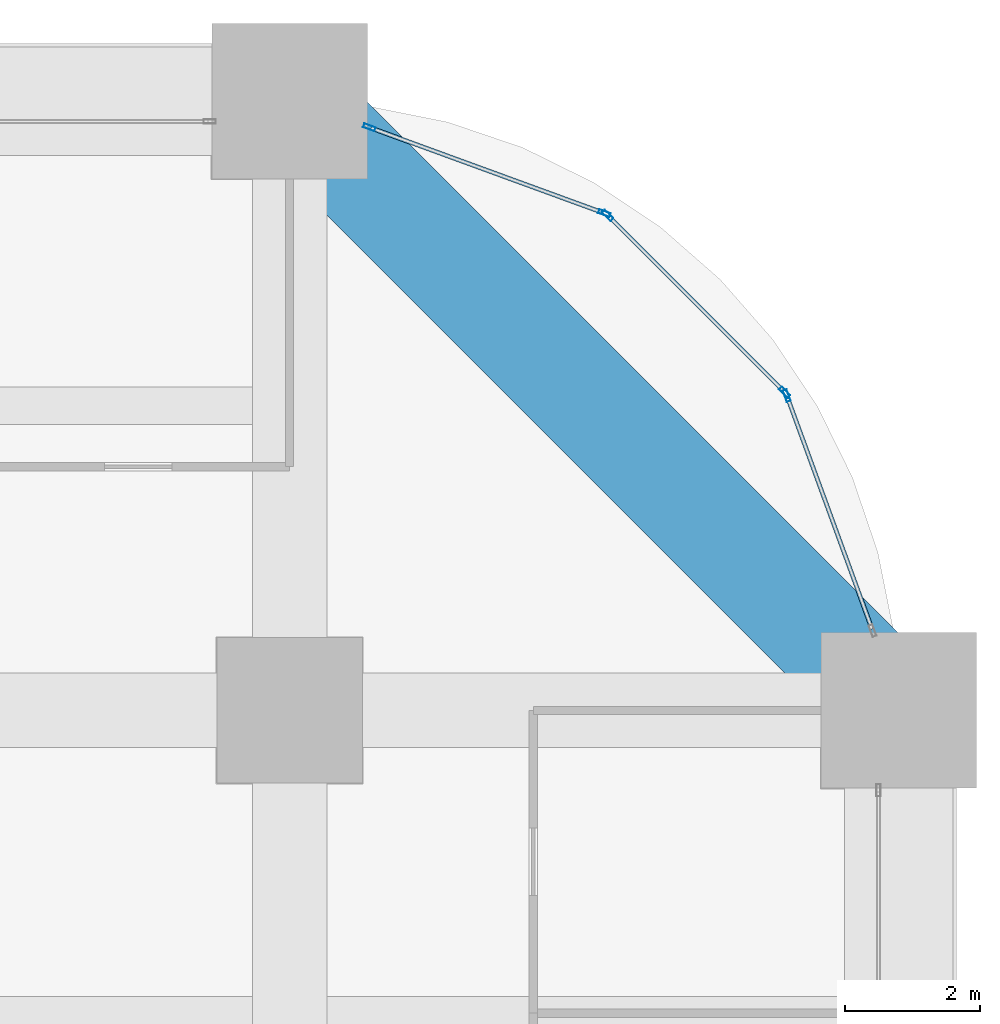
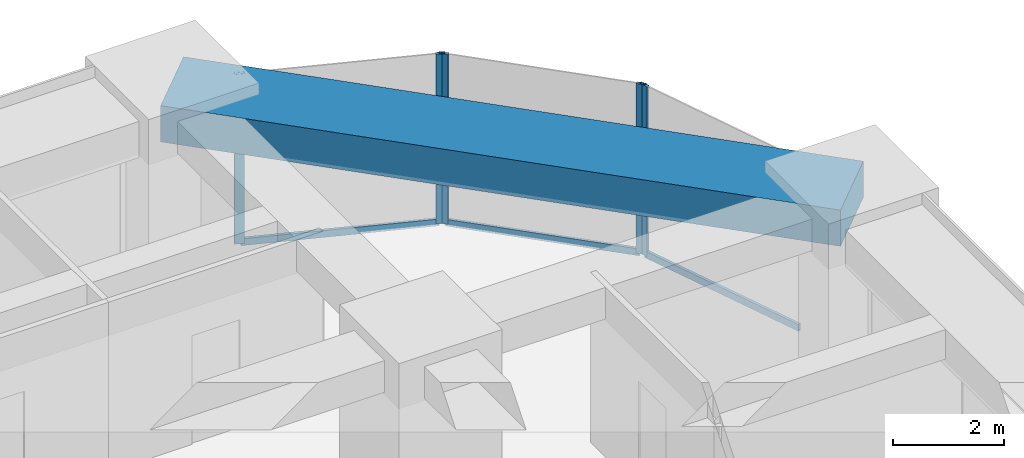
# One storey, part 37 of 45: 8 members, 1 beam, 3 elements without a shape of their own.
"""IFC4 building model written with IfcOpenShell, lengths in metres."""

from ifc_helpers import new_model, si_unit, direction, frame, origin, origin_2d, place, context, subcontext, project, spatial, rectangle, hollow_rectangle, extrude, material, material_profile, profile_set, type_object, element, aggregate, save


model = new_model("IFC4")

# Units and contexts
model_context = context("Model", 3, precision=1e-05, world=origin(), true_north=direction((0.0, 1.0)))
body_context = subcontext(model_context, "Body", "Model", "MODEL_VIEW")
ifc_project = project(units=[si_unit("LENGTHUNIT", "METRE"), si_unit("AREAUNIT", "SQUARE_METRE"), si_unit("VOLUMEUNIT", "CUBIC_METRE"), si_unit("PLANEANGLEUNIT", "RADIAN"), si_unit("MASSUNIT", "GRAM", prefix="KILO")], contexts=[model_context])

# Site, building, storey
site_placement = place(None, origin())
site = spatial("IfcSite", under=ifc_project, at=site_placement, CompositionType="ELEMENT")
building_placement = place(site_placement, origin())
building = spatial("IfcBuilding", under=site, at=building_placement, Name="Zorevar Civic Tower", CompositionType="ELEMENT")
storey_placement = place(building_placement, frame((0.0, 0.0, 71.800048828125)))
storey = spatial("IfcBuildingStorey", under=building, at=storey_placement, Name="L17", CompositionType="ELEMENT", Elevation=71.800048828125)

# Curtain wall, member
ifc_material_1 = material(Name="Dark grey solar-control glass in black aluminium frame", Category="aluminium")
curtain_wall_type = type_object("IfcCurtainWallType", Name="Curtain wall CW2 low zone", PredefinedType="NOTDEFINED", material=ifc_material_1)
curtain_wall_1_placement = place(storey_placement, origin())
curtain_wall_1 = element("IfcCurtainWall", 1, at=curtain_wall_1_placement, inside=storey, type_object=curtain_wall_type, Name="CW2 L17", PredefinedType="NOTDEFINED")
ifc_material_2 = material(Name="Aluminium, black anodised", Category="aluminium")
ifc_material_profile_1 = material_profile(ifc_material_2, hollow_rectangle(XDim=0.06005859375, YDim=0.179931640625, WallThickness=0.00390625, at=origin_2d()), Name="AL 180x60x4")
ifc_profile_set_1 = profile_set([ifc_material_profile_1], Name="Aluminium, black anodised")
member_type_1 = type_object("IfcMemberType", Name="CW2 mullion AL 180x60x4", PredefinedType="MULLION", material=ifc_profile_set_1)
member_1_placement = place(storey_placement, frame((61.34521484375, 49.650390625, 0.0), z_axis=(0.0, 0.0, 1.0), x_axis=(-0.939313345732, -0.343060400701, 0.0)))
member_1 = element("IfcMember", 2, at=member_1_placement, type_object=member_type_1, Name="CW2 mullion 2", PredefinedType="MULLION", context=body_context, shape_type="SweptSolid", body=[
    extrude(hollow_rectangle(XDim=0.06005859375, YDim=0.179931640625, WallThickness=0.00390625, at=origin_2d()), origin(), (0.0, 0.0, 1.0), 3.75),
])

# Curtain wall, members
curtain_wall_2_placement = place(storey_placement, origin())
curtain_wall_2 = element("IfcCurtainWall", 3, at=curtain_wall_2_placement, inside=storey, type_object=curtain_wall_type, Name="CW2 L17", PredefinedType="NOTDEFINED")
member_2_placement = place(storey_placement, frame((61.313720703125, 49.69970703125, 0.0), z_axis=(0.0, 0.0, 1.0), x_axis=(-0.707106781187, -0.707106781187, 0.0)))
member_2 = element("IfcMember", 4, at=member_2_placement, type_object=member_type_1, Name="CW2 mullion 1", PredefinedType="MULLION", context=body_context, shape_type="SweptSolid", body=[
    extrude(hollow_rectangle(XDim=0.06005859375, YDim=0.179931640625, WallThickness=0.00390625, at=origin_2d()), origin(), (0.0, 0.0, 1.0), 3.75),
])
member_3_placement = place(storey_placement, frame((58.69970703125, 52.313720703125, 0.0), z_axis=(0.0, 0.0, 1.0), x_axis=(-0.707106781187, -0.707106781187, 0.0)))
member_3 = element("IfcMember", 5, at=member_3_placement, type_object=member_type_1, Name="CW2 mullion 2", PredefinedType="MULLION", context=body_context, shape_type="SweptSolid", body=[
    extrude(hollow_rectangle(XDim=0.06005859375, YDim=0.179931640625, WallThickness=0.00390625, at=origin_2d()), origin(), (0.0, 0.0, 1.0), 3.75),
])

curtain_wall_3_placement = place(storey_placement, origin())
curtain_wall_3 = element("IfcCurtainWall", 6, at=curtain_wall_3_placement, inside=storey, type_object=curtain_wall_type, Name="CW2 L17", PredefinedType="NOTDEFINED")
member_4_placement = place(storey_placement, frame((58.650390625, 52.34521484375, 0.0), z_axis=(0.0, 0.0, 1.0), x_axis=(-0.343060400701, -0.939313345732, 0.0)))
member_4 = element("IfcMember", 7, at=member_4_placement, type_object=member_type_1, Name="CW2 mullion 1", PredefinedType="MULLION", context=body_context, shape_type="SweptSolid", body=[
    extrude(hollow_rectangle(XDim=0.06005859375, YDim=0.179931640625, WallThickness=0.00390625, at=origin_2d()), origin(), (0.0, 0.0, 1.0), 3.75),
])
member_5_placement = place(storey_placement, frame((55.17822265625, 53.61328125, 0.0), z_axis=(0.0, 0.0, 1.0), x_axis=(-0.343060400701, -0.939313345732, 0.0)))
member_5 = element("IfcMember", 8, at=member_5_placement, type_object=member_type_1, Name="CW2 mullion 2", PredefinedType="MULLION", context=body_context, shape_type="SweptSolid", body=[
    extrude(hollow_rectangle(XDim=0.06005859375, YDim=0.179931640625, WallThickness=0.00390625, at=origin_2d()), origin(), (0.0, 0.0, 1.0), 3.75),
])

# Member
ifc_material_3 = material(Name="Aluminium, black anodised", Category="aluminium")
ifc_material_profile_2 = material_profile(ifc_material_3, hollow_rectangle(XDim=0.06005859375, YDim=0.14990234375, WallThickness=0.00390625, at=origin_2d()), Name="AL 150x60x4")
ifc_profile_set_2 = profile_set([ifc_material_profile_2], Name="Aluminium, black anodised")
member_type_2 = type_object("IfcMemberType", Name="CW2 transom AL 150x60x4", PredefinedType="USERDEFINED", material=ifc_profile_set_2)
member_6_placement = place(storey_placement, frame((62.60302734375, 46.206298828125, 0.030029296875), z_axis=(-0.343047162808, 0.939318180432, 0.0), x_axis=(-0.939318180432, -0.343047162808, 0.0)))
member_6 = element("IfcMember", 9, at=member_6_placement, type_object=member_type_2, Name="CW2 sill transom", ObjectType="TRANSOM", PredefinedType="USERDEFINED", context=body_context, shape_type="SweptSolid", body=[
    extrude(hollow_rectangle(XDim=0.06005859375, YDim=0.14990234375, WallThickness=0.00390625, at=origin_2d()), origin(), (0.0, 0.0, 1.0), 3.63671875),
])

aggregate(curtain_wall_1, [member_1, member_6])

member_7_placement = place(storey_placement, frame((61.29248046875, 49.720947265625, 0.030029296875), z_axis=(-0.707106781187, 0.707106781187, 0.0), x_axis=(-0.707106781187, -0.707106781187, 0.0)))
member_7 = element("IfcMember", 10, at=member_7_placement, type_object=member_type_2, Name="CW2 sill transom", ObjectType="TRANSOM", PredefinedType="USERDEFINED", context=body_context, shape_type="SweptSolid", body=[
    extrude(hollow_rectangle(XDim=0.06005859375, YDim=0.14990234375, WallThickness=0.00390625, at=origin_2d()), origin(), (0.0, 0.0, 1.0), 3.63671875),
])

aggregate(curtain_wall_2, [member_2, member_3, member_7])

member_8_placement = place(storey_placement, frame((58.622314453125, 52.35546875, 0.030029296875), z_axis=(-0.939318180432, 0.343047162808, 0.0), x_axis=(-0.343047162808, -0.939318180432, 0.0)))
member_8 = element("IfcMember", 11, at=member_8_placement, type_object=member_type_2, Name="CW2 sill transom", ObjectType="TRANSOM", PredefinedType="USERDEFINED", context=body_context, shape_type="SweptSolid", body=[
    extrude(hollow_rectangle(XDim=0.06005859375, YDim=0.14990234375, WallThickness=0.00390625, at=origin_2d()), origin(), (0.0, 0.0, 1.0), 3.63671875),
])

aggregate(curtain_wall_3, [member_4, member_5, member_8])

# Beam
ifc_material_4 = material(Name="Concrete C50/60", Category="concrete")
ifc_material_profile_3 = material_profile(ifc_material_4, rectangle(XDim=1.60009765625, YDim=0.800048828125, at=origin_2d()), Name="RC 1600x800")
ifc_profile_set_3 = profile_set([ifc_material_profile_3], Name="Concrete C50/60")
beam_type = type_object("IfcBeamType", Name="Edge beam RC 1600x800", PredefinedType="SPANDREL", material=ifc_profile_set_3)
beam_placement = place(storey_placement, frame((63.0, 45.0, 3.349853515625), z_axis=(-0.707106781187, 0.707106781187, 0.0), x_axis=(-0.707106781187, -0.707106781187, 0.0)))
element("IfcBeam", 12, at=beam_placement, inside=storey, type_object=beam_type, Name="Corner edge beam L18", PredefinedType="SPANDREL", context=body_context, shape_type="SweptSolid", body=[
    extrude(rectangle(XDim=1.60009765625, YDim=0.800048828125, at=origin_2d()), origin(), (0.0, 0.0, 1.0), 12.72802734375),
])

save(model, "model.ifc")
